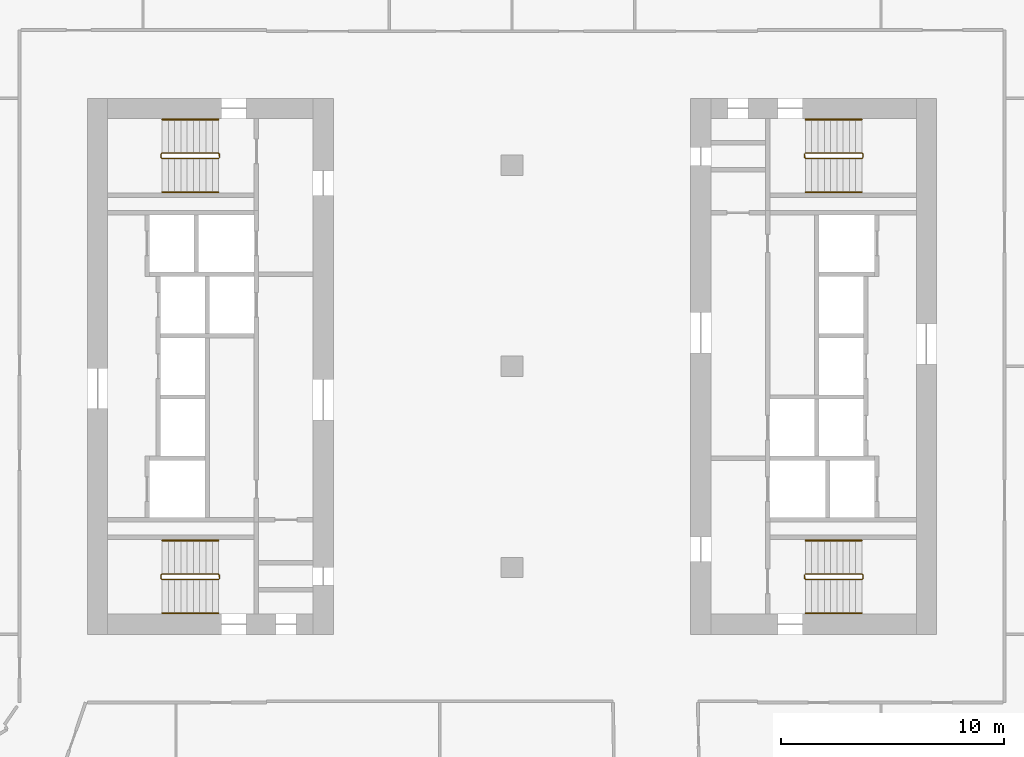
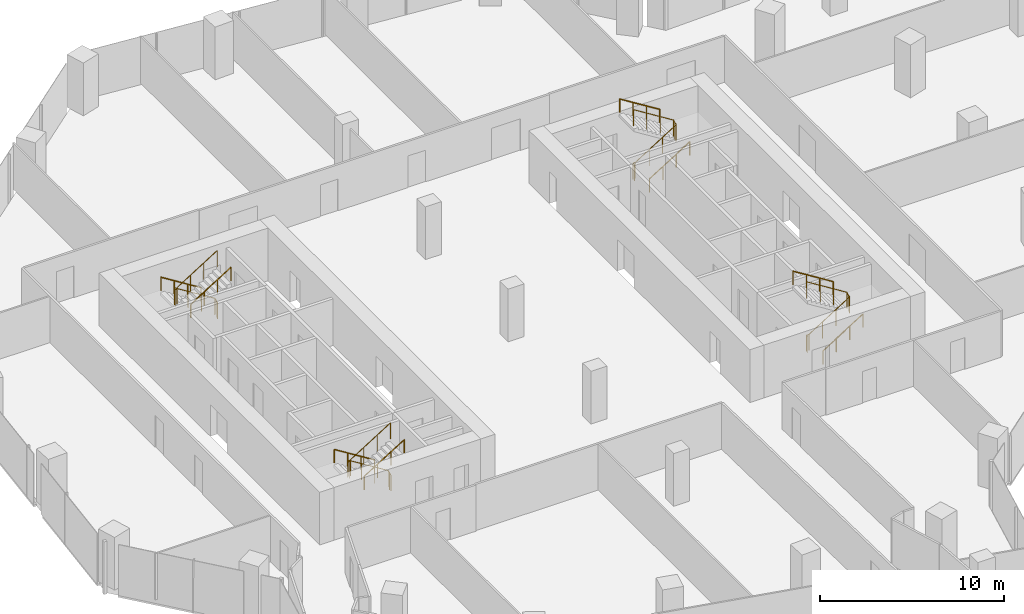
# One storey, part 24 of 24: 12 railings.
"""IFC4 building model written with IfcOpenShell, lengths in metres."""

from ifc_helpers import new_model, si_unit, direction, frame, origin, origin_2d, place, context, subcontext, project, spatial, circle, extrude, material, type_object, element, save


model = new_model("IFC4")

# Units and contexts
model_context = context("Model", 3, precision=1e-05, world=origin(), true_north=direction((0.0, 1.0)))
body_context = subcontext(model_context, "Body", "Model", "MODEL_VIEW")
ifc_project = project(units=[si_unit("LENGTHUNIT", "METRE"), si_unit("AREAUNIT", "SQUARE_METRE"), si_unit("VOLUMEUNIT", "CUBIC_METRE"), si_unit("PLANEANGLEUNIT", "RADIAN"), si_unit("MASSUNIT", "GRAM", prefix="KILO")], contexts=[model_context])

# Site, building, storey
site_placement = place(None, origin())
site = spatial("IfcSite", under=ifc_project, at=site_placement, CompositionType="ELEMENT")
building_placement = place(site_placement, origin())
building = spatial("IfcBuilding", under=site, at=building_placement, Name="Orlundy Tower", CompositionType="ELEMENT")
storey_placement = place(building_placement, frame((0.0, 0.0, 174.10009765625)))
storey = spatial("IfcBuildingStorey", under=building, at=storey_placement, Name="L45", CompositionType="ELEMENT", Elevation=174.10009765625)

# Railings
ifc_material_1 = material(Name="Steel balustrade", Category="steel")
railing_type_1 = type_object("IfcRailingType", Name="Stair Guard 1100", PredefinedType="GUARDRAIL", material=ifc_material_1)
railing_1_placement = place(storey_placement, frame((-13.090087890625, 9.5, 0.0)))
element("IfcRailing", 1, at=railing_1_placement, inside=storey, type_object=railing_type_1, Name="L45 ST-W1 stair guard 1", PredefinedType="GUARDRAIL", context=body_context, shape_type="SweptSolid", body=[
    extrude(circle(Radius=0.02392578125, at=origin_2d()), frame((0.0, 0.0, 1.076171875), z_axis=(0.0, -1.0, 0.0), x_axis=(1.0, 0.0, 0.0)), (0.0, 0.0, 1.0), 0.14990234375),
    extrude(circle(Radius=0.02392578125, at=origin_2d()), frame((0.0, -0.14990234375, 1.076171875), z_axis=(-0.184313129624, 0.739963005698, 0.646902945152), x_axis=(-0.970351222016, -0.241699205484, 0.0)), (0.0, 0.0, 1.0), 0.270263671875),
    extrude(circle(Radius=0.02392578125, at=origin_2d()), frame((-0.0498046875, 0.050048828125, 1.2509765625), z_axis=(-0.847970611238, 0.0, 0.530043245855), x_axis=(0.0, -1.0, 0.0)), (0.0, 0.0, 1.0), 2.971923828125),
    extrude(circle(Radius=0.02392578125, at=origin_2d()), frame((-2.56982421875, 0.050048828125, 2.826171875), z_axis=(-0.707106781187, -0.707106781187, 0.0), x_axis=(0.707106781187, -0.707106781187, 0.0)), (0.0, 0.0, 1.0), 0.07080078125),
    extrude(circle(Radius=0.02392578125, at=origin_2d()), frame((-2.619873046875, 0.0, 2.826171875), z_axis=(0.0, -1.0, 0.0), x_axis=(1.0, 0.0, 0.0)), (0.0, 0.0, 1.0), 0.14990234375),
    extrude(circle(Radius=0.02392578125, at=origin_2d()), frame((-2.619873046875, -0.14990234375, 2.826171875), z_axis=(0.265383341853, -0.265383341853, 0.926899867156), x_axis=(0.707106781187, 0.707106781187, 0.0)), (0.0, 0.0, 1.0), 0.1884765625),
    extrude(circle(Radius=0.02392578125, at=origin_2d()), frame((-2.56982421875, -0.199951171875, 3.0009765625), z_axis=(0.847970611238, 0.0, 0.530043245855), x_axis=(0.0, 1.0, 0.0)), (0.0, 0.0, 1.0), 2.971923828125),
    extrude(circle(Radius=0.02099609375, at=origin_2d()), origin(), (0.0, 0.0, 1.0), 1.052001953125),
    extrude(circle(Radius=0.02099609375, at=origin_2d()), frame((0.0, -0.14990234375, 0.0)), (0.0, 0.0, 1.0), 1.052001953125),
    extrude(circle(Radius=0.02099609375, at=origin_2d()), frame((-0.0498046875, 0.050048828125, 0.1748046875)), (0.0, 0.0, 1.0), 1.052001953125),
    extrude(circle(Radius=0.02099609375, at=origin_2d()), frame((-0.889892578125, 0.050048828125, 0.699951171875)), (0.0, 0.0, 1.0), 1.052001953125),
    extrude(circle(Radius=0.02099609375, at=origin_2d()), frame((-1.729736328125, 0.050048828125, 1.224853515625)), (0.0, 0.0, 1.0), 1.052001953125),
    extrude(circle(Radius=0.02099609375, at=origin_2d()), frame((-2.56982421875, 0.050048828125, 1.75)), (0.0, 0.0, 1.0), 1.052001953125),
    extrude(circle(Radius=0.02099609375, at=origin_2d()), frame((-2.619873046875, 0.0, 1.75)), (0.0, 0.0, 1.0), 1.052001953125),
    extrude(circle(Radius=0.02099609375, at=origin_2d()), frame((-2.619873046875, -0.14990234375, 1.75)), (0.0, 0.0, 1.0), 1.052001953125),
    extrude(circle(Radius=0.02099609375, at=origin_2d()), frame((-2.56982421875, -0.199951171875, 1.9248046875)), (0.0, 0.0, 1.0), 1.052001953125),
    extrude(circle(Radius=0.02099609375, at=origin_2d()), frame((-1.729736328125, -0.199951171875, 2.449951171875)), (0.0, 0.0, 1.0), 1.052001953125),
    extrude(circle(Radius=0.02099609375, at=origin_2d()), frame((-0.889892578125, -0.199951171875, 2.974853515625)), (0.0, 0.0, 1.0), 1.052001953125),
    extrude(circle(Radius=0.02099609375, at=origin_2d()), frame((-0.0498046875, -0.199951171875, 3.5)), (0.0, 0.0, 1.0), 1.052001953125),
])
railing_2_placement = place(storey_placement, frame((-13.090087890625, -9.35009765625, 0.0)))
element("IfcRailing", 2, at=railing_2_placement, inside=storey, type_object=railing_type_1, Name="L45 ST-W2 stair guard 1", PredefinedType="GUARDRAIL", context=body_context, shape_type="SweptSolid", body=[
    extrude(circle(Radius=0.02392578125, at=origin_2d()), frame((0.0, 0.0, 1.076171875), z_axis=(0.0, -1.0, 0.0), x_axis=(1.0, 0.0, 0.0)), (0.0, 0.0, 1.0), 0.14990234375),
    extrude(circle(Radius=0.02392578125, at=origin_2d()), frame((0.0, -0.14990234375, 1.076171875), z_axis=(-0.184313129624, 0.739963005698, 0.646902945152), x_axis=(-0.970351222016, -0.241699205484, 0.0)), (0.0, 0.0, 1.0), 0.270263671875),
    extrude(circle(Radius=0.02392578125, at=origin_2d()), frame((-0.0498046875, 0.050048828125, 1.2509765625), z_axis=(-0.847970611238, 0.0, 0.530043245855), x_axis=(0.0, -1.0, 0.0)), (0.0, 0.0, 1.0), 2.971923828125),
    extrude(circle(Radius=0.02392578125, at=origin_2d()), frame((-2.56982421875, 0.050048828125, 2.826171875), z_axis=(-0.707106781187, -0.707106781187, 0.0), x_axis=(0.707106781187, -0.707106781187, 0.0)), (0.0, 0.0, 1.0), 0.07080078125),
    extrude(circle(Radius=0.02392578125, at=origin_2d()), frame((-2.619873046875, 0.0, 2.826171875), z_axis=(0.0, -1.0, 0.0), x_axis=(1.0, 0.0, 0.0)), (0.0, 0.0, 1.0), 0.14990234375),
    extrude(circle(Radius=0.02392578125, at=origin_2d()), frame((-2.619873046875, -0.14990234375, 2.826171875), z_axis=(0.265383341853, -0.265383341853, 0.926899867156), x_axis=(0.707106781187, 0.707106781187, 0.0)), (0.0, 0.0, 1.0), 0.1884765625),
    extrude(circle(Radius=0.02392578125, at=origin_2d()), frame((-2.56982421875, -0.199951171875, 3.0009765625), z_axis=(0.847970611238, 0.0, 0.530043245855), x_axis=(0.0, 1.0, 0.0)), (0.0, 0.0, 1.0), 2.971923828125),
    extrude(circle(Radius=0.02099609375, at=origin_2d()), origin(), (0.0, 0.0, 1.0), 1.052001953125),
    extrude(circle(Radius=0.02099609375, at=origin_2d()), frame((0.0, -0.14990234375, 0.0)), (0.0, 0.0, 1.0), 1.052001953125),
    extrude(circle(Radius=0.02099609375, at=origin_2d()), frame((-0.0498046875, 0.050048828125, 0.1748046875)), (0.0, 0.0, 1.0), 1.052001953125),
    extrude(circle(Radius=0.02099609375, at=origin_2d()), frame((-0.889892578125, 0.050048828125, 0.699951171875)), (0.0, 0.0, 1.0), 1.052001953125),
    extrude(circle(Radius=0.02099609375, at=origin_2d()), frame((-1.729736328125, 0.050048828125, 1.224853515625)), (0.0, 0.0, 1.0), 1.052001953125),
    extrude(circle(Radius=0.02099609375, at=origin_2d()), frame((-2.56982421875, 0.050048828125, 1.75)), (0.0, 0.0, 1.0), 1.052001953125),
    extrude(circle(Radius=0.02099609375, at=origin_2d()), frame((-2.619873046875, 0.0, 1.75)), (0.0, 0.0, 1.0), 1.052001953125),
    extrude(circle(Radius=0.02099609375, at=origin_2d()), frame((-2.619873046875, -0.14990234375, 1.75)), (0.0, 0.0, 1.0), 1.052001953125),
    extrude(circle(Radius=0.02099609375, at=origin_2d()), frame((-2.56982421875, -0.199951171875, 1.9248046875)), (0.0, 0.0, 1.0), 1.052001953125),
    extrude(circle(Radius=0.02099609375, at=origin_2d()), frame((-1.729736328125, -0.199951171875, 2.449951171875)), (0.0, 0.0, 1.0), 1.052001953125),
    extrude(circle(Radius=0.02099609375, at=origin_2d()), frame((-0.889892578125, -0.199951171875, 2.974853515625)), (0.0, 0.0, 1.0), 1.052001953125),
    extrude(circle(Radius=0.02099609375, at=origin_2d()), frame((-0.0498046875, -0.199951171875, 3.5)), (0.0, 0.0, 1.0), 1.052001953125),
])
railing_3_placement = place(storey_placement, frame((13.090087890625, -9.5, 0.0)))
element("IfcRailing", 3, at=railing_3_placement, inside=storey, type_object=railing_type_1, Name="L45 ST-E1 stair guard 1", PredefinedType="GUARDRAIL", context=body_context, shape_type="SweptSolid", body=[
    extrude(circle(Radius=0.02392578125, at=origin_2d()), frame((0.0, 0.0, 1.076171875), z_axis=(0.0, 1.0, 0.0), x_axis=(-1.0, 0.0, 0.0)), (0.0, 0.0, 1.0), 0.14990234375),
    extrude(circle(Radius=0.02392578125, at=origin_2d()), frame((0.0, 0.14990234375, 1.076171875), z_axis=(0.184313129624, -0.739963005698, 0.646902945152), x_axis=(0.970351222016, 0.241699205484, 0.0)), (0.0, 0.0, 1.0), 0.270263671875),
    extrude(circle(Radius=0.02392578125, at=origin_2d()), frame((0.0498046875, -0.050048828125, 1.2509765625), z_axis=(0.847970611238, 0.0, 0.530043245855), x_axis=(0.0, 1.0, 0.0)), (0.0, 0.0, 1.0), 2.971923828125),
    extrude(circle(Radius=0.02392578125, at=origin_2d()), frame((2.56982421875, -0.050048828125, 2.826171875), z_axis=(0.707106781187, 0.707106781187, 0.0), x_axis=(-0.707106781187, 0.707106781187, 0.0)), (0.0, 0.0, 1.0), 0.07080078125),
    extrude(circle(Radius=0.02392578125, at=origin_2d()), frame((2.619873046875, 0.0, 2.826171875), z_axis=(0.0, 1.0, 0.0), x_axis=(-1.0, 0.0, 0.0)), (0.0, 0.0, 1.0), 0.14990234375),
    extrude(circle(Radius=0.02392578125, at=origin_2d()), frame((2.619873046875, 0.14990234375, 2.826171875), z_axis=(-0.265383341853, 0.265383341853, 0.926899867156), x_axis=(-0.707106781187, -0.707106781187, 0.0)), (0.0, 0.0, 1.0), 0.1884765625),
    extrude(circle(Radius=0.02392578125, at=origin_2d()), frame((2.56982421875, 0.199951171875, 3.0009765625), z_axis=(-0.847970611238, 0.0, 0.530043245855), x_axis=(0.0, -1.0, 0.0)), (0.0, 0.0, 1.0), 2.971923828125),
    extrude(circle(Radius=0.02099609375, at=origin_2d()), origin(), (0.0, 0.0, 1.0), 1.052001953125),
    extrude(circle(Radius=0.02099609375, at=origin_2d()), frame((0.0, 0.14990234375, 0.0)), (0.0, 0.0, 1.0), 1.052001953125),
    extrude(circle(Radius=0.02099609375, at=origin_2d()), frame((0.0498046875, -0.050048828125, 0.1748046875)), (0.0, 0.0, 1.0), 1.052001953125),
    extrude(circle(Radius=0.02099609375, at=origin_2d()), frame((0.889892578125, -0.050048828125, 0.699951171875)), (0.0, 0.0, 1.0), 1.052001953125),
    extrude(circle(Radius=0.02099609375, at=origin_2d()), frame((1.729736328125, -0.050048828125, 1.224853515625)), (0.0, 0.0, 1.0), 1.052001953125),
    extrude(circle(Radius=0.02099609375, at=origin_2d()), frame((2.56982421875, -0.050048828125, 1.75)), (0.0, 0.0, 1.0), 1.052001953125),
    extrude(circle(Radius=0.02099609375, at=origin_2d()), frame((2.619873046875, 0.0, 1.75)), (0.0, 0.0, 1.0), 1.052001953125),
    extrude(circle(Radius=0.02099609375, at=origin_2d()), frame((2.619873046875, 0.14990234375, 1.75)), (0.0, 0.0, 1.0), 1.052001953125),
    extrude(circle(Radius=0.02099609375, at=origin_2d()), frame((2.56982421875, 0.199951171875, 1.9248046875)), (0.0, 0.0, 1.0), 1.052001953125),
    extrude(circle(Radius=0.02099609375, at=origin_2d()), frame((1.729736328125, 0.199951171875, 2.449951171875)), (0.0, 0.0, 1.0), 1.052001953125),
    extrude(circle(Radius=0.02099609375, at=origin_2d()), frame((0.889892578125, 0.199951171875, 2.974853515625)), (0.0, 0.0, 1.0), 1.052001953125),
    extrude(circle(Radius=0.02099609375, at=origin_2d()), frame((0.0498046875, 0.199951171875, 3.5)), (0.0, 0.0, 1.0), 1.052001953125),
])
railing_4_placement = place(storey_placement, frame((13.090087890625, 9.35009765625, 0.0)))
element("IfcRailing", 4, at=railing_4_placement, inside=storey, type_object=railing_type_1, Name="L45 ST-E2 stair guard 1", PredefinedType="GUARDRAIL", context=body_context, shape_type="SweptSolid", body=[
    extrude(circle(Radius=0.02392578125, at=origin_2d()), frame((0.0, 0.0, 1.076171875), z_axis=(0.0, 1.0, 0.0), x_axis=(-1.0, 0.0, 0.0)), (0.0, 0.0, 1.0), 0.14990234375),
    extrude(circle(Radius=0.02392578125, at=origin_2d()), frame((0.0, 0.14990234375, 1.076171875), z_axis=(0.184313129624, -0.739963005698, 0.646902945152), x_axis=(0.970351222016, 0.241699205484, 0.0)), (0.0, 0.0, 1.0), 0.270263671875),
    extrude(circle(Radius=0.02392578125, at=origin_2d()), frame((0.0498046875, -0.050048828125, 1.2509765625), z_axis=(0.847970611238, 0.0, 0.530043245855), x_axis=(0.0, 1.0, 0.0)), (0.0, 0.0, 1.0), 2.971923828125),
    extrude(circle(Radius=0.02392578125, at=origin_2d()), frame((2.56982421875, -0.050048828125, 2.826171875), z_axis=(0.707106781187, 0.707106781187, 0.0), x_axis=(-0.707106781187, 0.707106781187, 0.0)), (0.0, 0.0, 1.0), 0.07080078125),
    extrude(circle(Radius=0.02392578125, at=origin_2d()), frame((2.619873046875, 0.0, 2.826171875), z_axis=(0.0, 1.0, 0.0), x_axis=(-1.0, 0.0, 0.0)), (0.0, 0.0, 1.0), 0.14990234375),
    extrude(circle(Radius=0.02392578125, at=origin_2d()), frame((2.619873046875, 0.14990234375, 2.826171875), z_axis=(-0.265383341853, 0.265383341853, 0.926899867156), x_axis=(-0.707106781187, -0.707106781187, 0.0)), (0.0, 0.0, 1.0), 0.1884765625),
    extrude(circle(Radius=0.02392578125, at=origin_2d()), frame((2.56982421875, 0.199951171875, 3.0009765625), z_axis=(-0.847970611238, 0.0, 0.530043245855), x_axis=(0.0, -1.0, 0.0)), (0.0, 0.0, 1.0), 2.971923828125),
    extrude(circle(Radius=0.02099609375, at=origin_2d()), origin(), (0.0, 0.0, 1.0), 1.052001953125),
    extrude(circle(Radius=0.02099609375, at=origin_2d()), frame((0.0, 0.14990234375, 0.0)), (0.0, 0.0, 1.0), 1.052001953125),
    extrude(circle(Radius=0.02099609375, at=origin_2d()), frame((0.0498046875, -0.050048828125, 0.1748046875)), (0.0, 0.0, 1.0), 1.052001953125),
    extrude(circle(Radius=0.02099609375, at=origin_2d()), frame((0.889892578125, -0.050048828125, 0.699951171875)), (0.0, 0.0, 1.0), 1.052001953125),
    extrude(circle(Radius=0.02099609375, at=origin_2d()), frame((1.729736328125, -0.050048828125, 1.224853515625)), (0.0, 0.0, 1.0), 1.052001953125),
    extrude(circle(Radius=0.02099609375, at=origin_2d()), frame((2.56982421875, -0.050048828125, 1.75)), (0.0, 0.0, 1.0), 1.052001953125),
    extrude(circle(Radius=0.02099609375, at=origin_2d()), frame((2.619873046875, 0.0, 1.75)), (0.0, 0.0, 1.0), 1.052001953125),
    extrude(circle(Radius=0.02099609375, at=origin_2d()), frame((2.619873046875, 0.14990234375, 1.75)), (0.0, 0.0, 1.0), 1.052001953125),
    extrude(circle(Radius=0.02099609375, at=origin_2d()), frame((2.56982421875, 0.199951171875, 1.9248046875)), (0.0, 0.0, 1.0), 1.052001953125),
    extrude(circle(Radius=0.02099609375, at=origin_2d()), frame((1.729736328125, 0.199951171875, 2.449951171875)), (0.0, 0.0, 1.0), 1.052001953125),
    extrude(circle(Radius=0.02099609375, at=origin_2d()), frame((0.889892578125, 0.199951171875, 2.974853515625)), (0.0, 0.0, 1.0), 1.052001953125),
    extrude(circle(Radius=0.02099609375, at=origin_2d()), frame((0.0498046875, 0.199951171875, 3.5)), (0.0, 0.0, 1.0), 1.052001953125),
])
ifc_material_2 = material(Name="Steel handrail", Category="steel")
railing_type_2 = type_object("IfcRailingType", Name="Stair Handrail 900", PredefinedType="HANDRAIL", material=ifc_material_2)
railing_5_placement = place(storey_placement, frame((-13.139892578125, 11.050048828125, 0.1748046875)))
element("IfcRailing", 5, at=railing_5_placement, inside=storey, type_object=railing_type_2, Name="L45 ST-W1 stair handrail 1", PredefinedType="HANDRAIL", context=body_context, shape_type="SweptSolid", body=[
    extrude(circle(Radius=0.02392578125, at=origin_2d()), frame((0.0, 0.0, 0.8759765625), z_axis=(-0.847970611238, 0.0, 0.530043245855), x_axis=(0.0, -1.0, 0.0)), (0.0, 0.0, 1.0), 2.971923828125),
    extrude(circle(Radius=0.02099609375, at=origin_2d()), origin(), (0.0, 0.0, 1.0), 0.851806640625),
    extrude(circle(Radius=0.02099609375, at=origin_2d()), frame((-0.840087890625, 0.0, 0.525146484375)), (0.0, 0.0, 1.0), 0.851806640625),
    extrude(circle(Radius=0.02099609375, at=origin_2d()), frame((-1.679931640625, 0.0, 1.050048828125)), (0.0, 0.0, 1.0), 0.851806640625),
    extrude(circle(Radius=0.02099609375, at=origin_2d()), frame((-2.52001953125, 0.0, 1.5751953125)), (0.0, 0.0, 1.0), 0.851806640625),
])
railing_6_placement = place(storey_placement, frame((-15.659912109375, 7.800048828125, 1.9248046875)))
element("IfcRailing", 6, at=railing_6_placement, inside=storey, type_object=railing_type_2, Name="L45 ST-W1 stair handrail 2", PredefinedType="HANDRAIL", context=body_context, shape_type="SweptSolid", body=[
    extrude(circle(Radius=0.02392578125, at=origin_2d()), frame((0.0, 0.0, 0.8759765625), z_axis=(0.847970611238, 0.0, 0.530043245855), x_axis=(0.0, 1.0, 0.0)), (0.0, 0.0, 1.0), 2.971923828125),
    extrude(circle(Radius=0.02099609375, at=origin_2d()), origin(), (0.0, 0.0, 1.0), 0.851806640625),
    extrude(circle(Radius=0.02099609375, at=origin_2d()), frame((0.840087890625, 0.0, 0.525146484375)), (0.0, 0.0, 1.0), 0.851806640625),
    extrude(circle(Radius=0.02099609375, at=origin_2d()), frame((1.679931640625, 0.0, 1.050048828125)), (0.0, 0.0, 1.0), 0.851806640625),
    extrude(circle(Radius=0.02099609375, at=origin_2d()), frame((2.52001953125, 0.0, 1.5751953125)), (0.0, 0.0, 1.0), 0.851806640625),
])
railing_7_placement = place(storey_placement, frame((-13.139892578125, -7.800048828125, 0.1748046875)))
element("IfcRailing", 7, at=railing_7_placement, inside=storey, type_object=railing_type_2, Name="L45 ST-W2 stair handrail 1", PredefinedType="HANDRAIL", context=body_context, shape_type="SweptSolid", body=[
    extrude(circle(Radius=0.02392578125, at=origin_2d()), frame((0.0, 0.0, 0.8759765625), z_axis=(-0.847970611238, 0.0, 0.530043245855), x_axis=(0.0, -1.0, 0.0)), (0.0, 0.0, 1.0), 2.971923828125),
    extrude(circle(Radius=0.02099609375, at=origin_2d()), origin(), (0.0, 0.0, 1.0), 0.851806640625),
    extrude(circle(Radius=0.02099609375, at=origin_2d()), frame((-0.840087890625, 0.0, 0.525146484375)), (0.0, 0.0, 1.0), 0.851806640625),
    extrude(circle(Radius=0.02099609375, at=origin_2d()), frame((-1.679931640625, 0.0, 1.050048828125)), (0.0, 0.0, 1.0), 0.851806640625),
    extrude(circle(Radius=0.02099609375, at=origin_2d()), frame((-2.52001953125, 0.0, 1.5751953125)), (0.0, 0.0, 1.0), 0.851806640625),
])
for number, where, name in (
    (8, (-15.659912109375, -11.050048828125, 1.9248046875), "L45 ST-W2 stair handrail 2"),
    (9, (13.139892578125, -11.050048828125, 0.1748046875), "L45 ST-E1 stair handrail 1"),
):
    element("IfcRailing", number, at=place(storey_placement, frame(where)), inside=storey, type_object=railing_type_2, Name=name, PredefinedType="HANDRAIL", context=body_context, shape_type="SweptSolid", body=[
        extrude(circle(Radius=0.02392578125, at=origin_2d()), frame((0.0, 0.0, 0.8759765625), z_axis=(0.847970611238, 0.0, 0.530043245855), x_axis=(0.0, 1.0, 0.0)), (0.0, 0.0, 1.0), 2.971923828125),
        extrude(circle(Radius=0.02099609375, at=origin_2d()), origin(), (0.0, 0.0, 1.0), 0.851806640625),
        extrude(circle(Radius=0.02099609375, at=origin_2d()), frame((0.840087890625, 0.0, 0.525146484375)), (0.0, 0.0, 1.0), 0.851806640625),
        extrude(circle(Radius=0.02099609375, at=origin_2d()), frame((1.679931640625, 0.0, 1.050048828125)), (0.0, 0.0, 1.0), 0.851806640625),
        extrude(circle(Radius=0.02099609375, at=origin_2d()), frame((2.52001953125, 0.0, 1.5751953125)), (0.0, 0.0, 1.0), 0.851806640625),
    ])
railing_8_placement = place(storey_placement, frame((15.659912109375, -7.800048828125, 1.9248046875)))
element("IfcRailing", 10, at=railing_8_placement, inside=storey, type_object=railing_type_2, Name="L45 ST-E1 stair handrail 2", PredefinedType="HANDRAIL", context=body_context, shape_type="SweptSolid", body=[
    extrude(circle(Radius=0.02392578125, at=origin_2d()), frame((0.0, 0.0, 0.8759765625), z_axis=(-0.847970611238, 0.0, 0.530043245855), x_axis=(0.0, -1.0, 0.0)), (0.0, 0.0, 1.0), 2.971923828125),
    extrude(circle(Radius=0.02099609375, at=origin_2d()), origin(), (0.0, 0.0, 1.0), 0.851806640625),
    extrude(circle(Radius=0.02099609375, at=origin_2d()), frame((-0.840087890625, 0.0, 0.525146484375)), (0.0, 0.0, 1.0), 0.851806640625),
    extrude(circle(Radius=0.02099609375, at=origin_2d()), frame((-1.679931640625, 0.0, 1.050048828125)), (0.0, 0.0, 1.0), 0.851806640625),
    extrude(circle(Radius=0.02099609375, at=origin_2d()), frame((-2.52001953125, 0.0, 1.5751953125)), (0.0, 0.0, 1.0), 0.851806640625),
])
railing_9_placement = place(storey_placement, frame((13.139892578125, 7.800048828125, 0.1748046875)))
element("IfcRailing", 11, at=railing_9_placement, inside=storey, type_object=railing_type_2, Name="L45 ST-E2 stair handrail 1", PredefinedType="HANDRAIL", context=body_context, shape_type="SweptSolid", body=[
    extrude(circle(Radius=0.02392578125, at=origin_2d()), frame((0.0, 0.0, 0.8759765625), z_axis=(0.847970611238, 0.0, 0.530043245855), x_axis=(0.0, 1.0, 0.0)), (0.0, 0.0, 1.0), 2.971923828125),
    extrude(circle(Radius=0.02099609375, at=origin_2d()), origin(), (0.0, 0.0, 1.0), 0.851806640625),
    extrude(circle(Radius=0.02099609375, at=origin_2d()), frame((0.840087890625, 0.0, 0.525146484375)), (0.0, 0.0, 1.0), 0.851806640625),
    extrude(circle(Radius=0.02099609375, at=origin_2d()), frame((1.679931640625, 0.0, 1.050048828125)), (0.0, 0.0, 1.0), 0.851806640625),
    extrude(circle(Radius=0.02099609375, at=origin_2d()), frame((2.52001953125, 0.0, 1.5751953125)), (0.0, 0.0, 1.0), 0.851806640625),
])
railing_10_placement = place(storey_placement, frame((15.659912109375, 11.050048828125, 1.9248046875)))
element("IfcRailing", 12, at=railing_10_placement, inside=storey, type_object=railing_type_2, Name="L45 ST-E2 stair handrail 2", PredefinedType="HANDRAIL", context=body_context, shape_type="SweptSolid", body=[
    extrude(circle(Radius=0.02392578125, at=origin_2d()), frame((0.0, 0.0, 0.8759765625), z_axis=(-0.847970611238, 0.0, 0.530043245855), x_axis=(0.0, -1.0, 0.0)), (0.0, 0.0, 1.0), 2.971923828125),
    extrude(circle(Radius=0.02099609375, at=origin_2d()), origin(), (0.0, 0.0, 1.0), 0.851806640625),
    extrude(circle(Radius=0.02099609375, at=origin_2d()), frame((-0.840087890625, 0.0, 0.525146484375)), (0.0, 0.0, 1.0), 0.851806640625),
    extrude(circle(Radius=0.02099609375, at=origin_2d()), frame((-1.679931640625, 0.0, 1.050048828125)), (0.0, 0.0, 1.0), 0.851806640625),
    extrude(circle(Radius=0.02099609375, at=origin_2d()), frame((-2.52001953125, 0.0, 1.5751953125)), (0.0, 0.0, 1.0), 0.851806640625),
])

save(model, "model.ifc")
